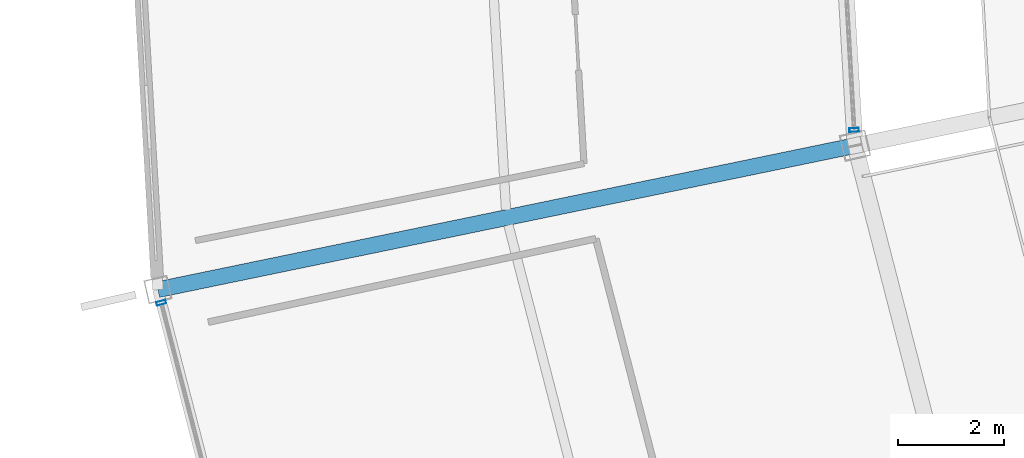
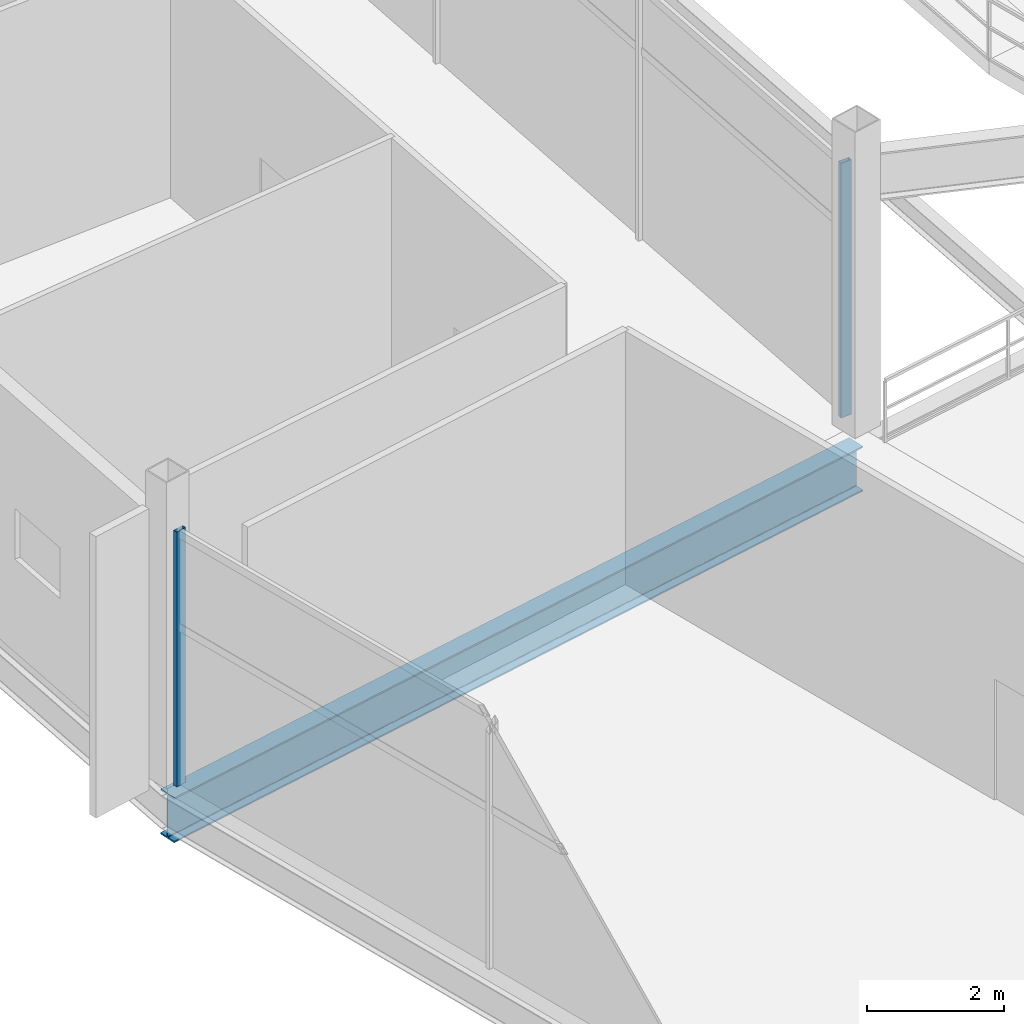
# One storey, part 42 of 186: 2 members, 1 beam, 2 elements without a shape of their own.
"""IFC4 building model written with IfcOpenShell, lengths in metres."""

from ifc_helpers import new_model, si_unit, direction, frame, origin, origin_2d, place, context, subcontext, project, spatial, hollow_rectangle, i_section, extrude, material, layer, layer_set, material_profile, profile_set, type_object, element, aggregate, save


model = new_model("IFC4")

# Units and contexts
model_context = context("Model", 3, precision=1e-05, world=origin(), true_north=direction((0.0, 1.0)))
body_context = subcontext(model_context, "Body", "Model", "MODEL_VIEW")
ifc_project = project(units=[si_unit("LENGTHUNIT", "METRE"), si_unit("AREAUNIT", "SQUARE_METRE"), si_unit("VOLUMEUNIT", "CUBIC_METRE"), si_unit("PLANEANGLEUNIT", "RADIAN"), si_unit("MASSUNIT", "GRAM", prefix="KILO")], contexts=[model_context])

# Site, building, storey
site_placement = place(None, origin())
site = spatial("IfcSite", under=ifc_project, at=site_placement, CompositionType="ELEMENT")
building_placement = place(site_placement, origin())
building = spatial("IfcBuilding", under=site, at=building_placement, Name="Kazemori Nagisa Stadium", CompositionType="ELEMENT")
storey_placement = place(building_placement, frame((0.0, 0.0, 20.39990234375)))
storey = spatial("IfcBuildingStorey", under=building, at=storey_placement, Name="L04", CompositionType="ELEMENT", Elevation=20.39990234375)

# Beam
ifc_material_1 = material(Name="Steel SN490B", Category="steel")
ifc_material_profile_1 = material_profile(ifc_material_1, i_section(OverallWidth=0.300048828125, OverallDepth=0.800048828125, WebThickness=0.013916015625, FlangeThickness=0.02587890625, FilletRadius=0.01806640625, at=origin_2d()), Name="H-800x300x14x26")
ifc_profile_set_1 = profile_set([ifc_material_profile_1], Name="Steel SN490B")
beam_type = type_object("IfcBeamType", Name="Beam_BG-H800", PredefinedType="BEAM", material=ifc_profile_set_1)
beam_placement = place(storey_placement, frame((42.262451171875, 85.31787109375, -0.699951171875), z_axis=(-0.979315516463, -0.202339119339, 0.0), x_axis=(0.202339119339, -0.979315516463, 0.0)))
element("IfcBeam", 1, at=beam_placement, inside=storey, type_object=beam_type, Name="Radial girder BG-H800 L04 R2-R3-16", PredefinedType="BEAM", context=body_context, shape_type="SweptSolid", body=[
    extrude(i_section(OverallWidth=0.300048828125, OverallDepth=0.800048828125, WebThickness=0.013916015625, FlangeThickness=0.02587890625, FilletRadius=0.01806640625, at=origin_2d()), origin(), (0.0, 0.0, 1.0), 13.4208984375),
])

# Curtain wall, member
ifc_material_2 = material(Name="Anodised aluminium 6063-T5", Category="aluminium")
ifc_layer_1 = layer(ifc_material_2, 0.179931640625, Name="Anodised aluminium 6063-T5", Category="aluminium")
ifc_layer_set_1 = layer_set([ifc_layer_1], Name="Anodised aluminium 6063-T5")
curtain_wall_type_1 = type_object("IfcCurtainWallType", Name="CW_L04R3_98", PredefinedType="USERDEFINED", material=ifc_layer_set_1)
curtain_wall_1_placement = place(storey_placement, origin())
curtain_wall_1 = element("IfcCurtainWall", 2, at=curtain_wall_1_placement, inside=storey, type_object=curtain_wall_type_1, Name="Unitised curtain wall CW-L04R3-98 L04", ObjectType="UNITISED CURTAIN WALL", PredefinedType="USERDEFINED")
ifc_material_3 = material(Name="Aluminium 6063-T5 anodised", Category="aluminium")
ifc_material_profile_2 = material_profile(ifc_material_3, hollow_rectangle(XDim=0.070068359375, YDim=0.179931640625, WallThickness=0.00390625, at=origin_2d()), Name="ALU-MULL-70x180x4")
ifc_profile_set_2 = profile_set([ifc_material_profile_2], Name="Aluminium 6063-T5 anodised")
member_type = type_object("IfcMemberType", Name="Mullion_M01", PredefinedType="MULLION", material=ifc_profile_set_2)
member_1_placement = place(storey_placement, frame((29.182861328125, 82.35546875, 0.0), z_axis=(0.0, 0.0, 1.0), x_axis=(0.249964642418, -0.968254965152, 0.0)))
member_1 = element("IfcMember", 3, at=member_1_placement, type_object=member_type, Name="Curtain wall mullion CW-L04R3-98-M1", PredefinedType="MULLION", context=body_context, shape_type="SweptSolid", body=[
    extrude(hollow_rectangle(XDim=0.070068359375, YDim=0.179931640625, WallThickness=0.00390625, at=origin_2d()), origin(), (0.0, 0.0, 1.0), 4.530029296875),
])
aggregate(curtain_wall_1, [member_1])

ifc_layer_2 = layer(ifc_material_2, 0.179931640625, Name="Anodised aluminium 6063-T5", Category="aluminium")
ifc_layer_set_2 = layer_set([ifc_layer_2], Name="Anodised aluminium 6063-T5")
curtain_wall_type_2 = type_object("IfcCurtainWallType", Name="CW_L04B_81", PredefinedType="USERDEFINED", material=ifc_layer_set_2)
curtain_wall_2_placement = place(storey_placement, origin())
curtain_wall_2 = element("IfcCurtainWall", 4, at=curtain_wall_2_placement, inside=storey, type_object=curtain_wall_type_2, Name="Unitised curtain wall CW-L04B-81 L04", ObjectType="UNITISED CURTAIN WALL", PredefinedType="USERDEFINED")
member_2_placement = place(storey_placement, frame((42.24560546875, 85.612548828125, 0.0), z_axis=(0.0, 0.0, 1.0), x_axis=(0.057601670941, -0.998339645364, 0.0)))
member_2 = element("IfcMember", 5, at=member_2_placement, type_object=member_type, Name="Curtain wall mullion CW-L04B-81-M4", PredefinedType="MULLION", context=body_context, shape_type="SweptSolid", body=[
    extrude(hollow_rectangle(XDim=0.070068359375, YDim=0.179931640625, WallThickness=0.00390625, at=origin_2d()), origin(), (0.0, 0.0, 1.0), 4.530029296875),
])
aggregate(curtain_wall_2, [member_2])

save(model, "model.ifc")
